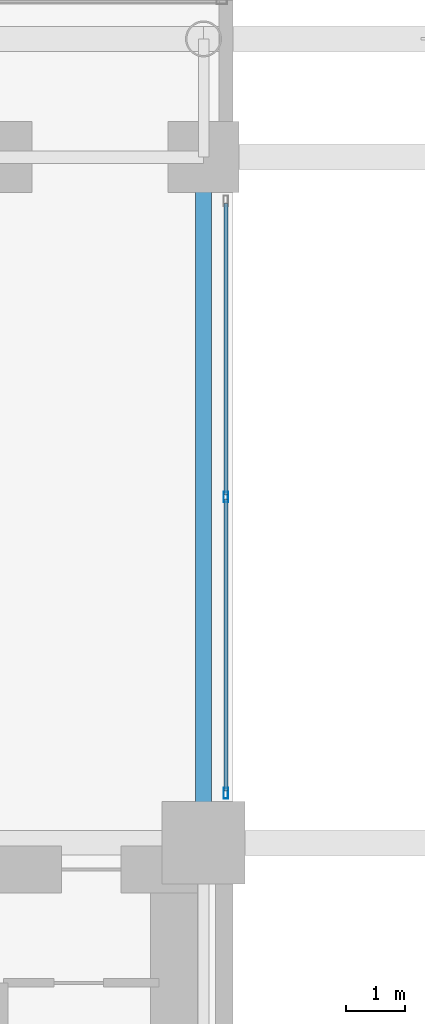
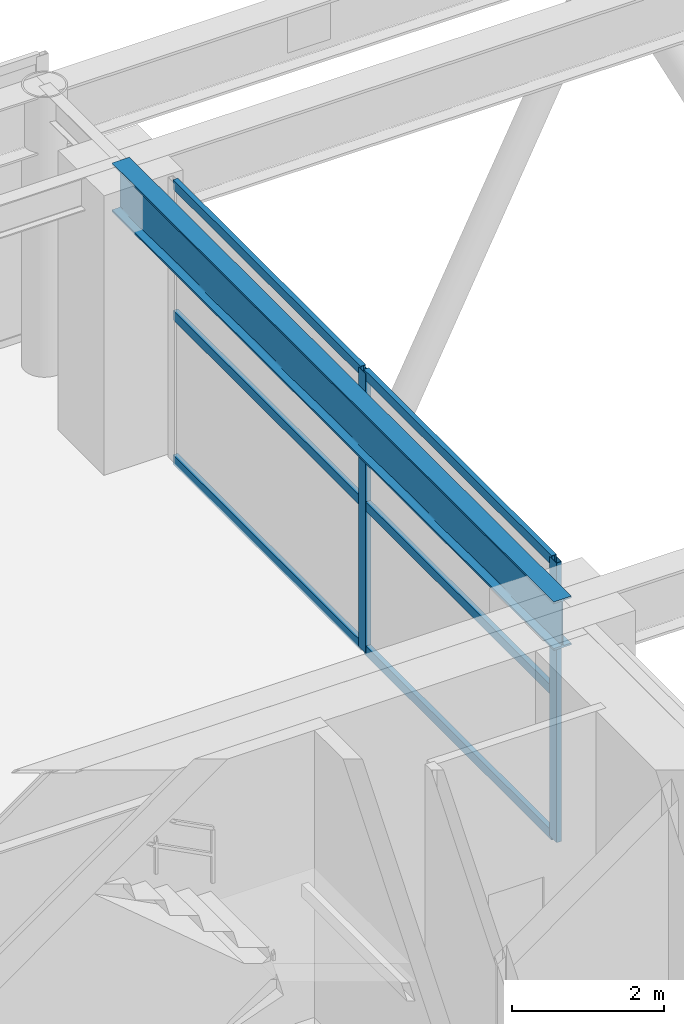
# One storey, part 14 of 30: 8 members, 1 beam, 1 element without a shape of its own.
"""IFC4 building model written with IfcOpenShell, lengths in metres."""

from ifc_helpers import new_model, si_unit, direction, frame, origin, origin_2d, place, context, subcontext, project, spatial, hollow_rectangle, i_section, extrude, source, transform, mapped, material, layer, layer_set, material_profile, profile_set, type_object, element, aggregate, save


model = new_model("IFC4")

# Units and contexts
model_context = context("Model", 3, precision=1e-05, world=origin(), true_north=direction((0.0, 1.0)))
body_context = subcontext(model_context, "Body", "Model", "MODEL_VIEW")
ifc_project = project(units=[si_unit("LENGTHUNIT", "METRE"), si_unit("AREAUNIT", "SQUARE_METRE"), si_unit("VOLUMEUNIT", "CUBIC_METRE"), si_unit("PLANEANGLEUNIT", "RADIAN"), si_unit("MASSUNIT", "GRAM", prefix="KILO")], contexts=[model_context])

# Site, building, storey
site_placement = place(None, origin())
site = spatial("IfcSite", under=ifc_project, at=site_placement, CompositionType="ELEMENT")
building_placement = place(site_placement, origin())
building = spatial("IfcBuilding", under=site, at=building_placement, Name="Ocotamira Hotel", CompositionType="ELEMENT")
storey_placement = place(building_placement, frame((0.0, 0.0, 19.199951171875)))
storey = spatial("IfcBuildingStorey", under=building, at=storey_placement, Name="L04", CompositionType="ELEMENT", Elevation=19.199951171875)

# Beam
ifc_material_1 = material(Name="Steel ASTM A992 Grade 50", Category="steel")
ifc_material_profile_1 = material_profile(ifc_material_1, i_section(OverallWidth=0.26611328125, OverallDepth=0.779052734375, WebThickness=0.0166015625, FlangeThickness=0.030029296875, FilletRadius=0.01806640625, at=origin_2d()), Name="W30X148")
ifc_profile_set_1 = profile_set([ifc_material_profile_1], Name="Steel ASTM A992 Grade 50")
beam_type = type_object("IfcBeamType", Name="BM-GIRD-W30X148", PredefinedType="BEAM", material=ifc_profile_set_1)
shared_shape_1 = source(origin(), body_context, "Body", "SweptSolid", [
    extrude(i_section(OverallWidth=0.26611328125, OverallDepth=0.779052734375, WebThickness=0.0166015625, FlangeThickness=0.030029296875, FilletRadius=0.01806640625, at=origin_2d()), origin(), (0.0, 0.0, 1.0), 11.60009765625),
])
beam_placement = place(storey_placement, frame((23.5, 37.449951171875, 4.090576171875), z_axis=(0.0, 1.0, 0.0), x_axis=(-1.0, 0.0, 0.0)))
element("IfcBeam", 1, at=beam_placement, inside=storey, type_object=beam_type, Name="L04 Beam X23.5 Y37.45-49.05", PredefinedType="BEAM", context=body_context, shape_type="MappedRepresentation", body=[
    mapped(shared_shape_1, transform((0.0, 0.0, 0.0), scale=1.0)),
])

# Curtain wall, members
ifc_material_2 = material(Name="Anodised pale-metal aluminium and solar glass", Category="aluminium")
ifc_layer = layer(ifc_material_2, 0.219970703125)
ifc_layer_set = layer_set([ifc_layer], Name="Anodised pale-metal aluminium and solar glass")
curtain_wall_type = type_object("IfcCurtainWallType", Name="CW-SYS1-POD", PredefinedType="NOTDEFINED", material=ifc_layer_set)
curtain_wall_placement = place(storey_placement, origin())
curtain_wall = element("IfcCurtainWall", 2, at=curtain_wall_placement, inside=storey, type_object=curtain_wall_type, Name="L04 Curtain Wall CW-1 CW-L04-AW-N", PredefinedType="NOTDEFINED")
ifc_material_3 = material(Name="Anodised pale-metal aluminium 6063-T6", Category="aluminium")
ifc_material_profile_2 = material_profile(ifc_material_3, hollow_rectangle(XDim=0.074951171875, YDim=0.14990234375, WallThickness=0.006103515625, at=origin_2d()), Name="HSS150X75X6")
ifc_profile_set_2 = profile_set([ifc_material_profile_2], Name="Anodised pale-metal aluminium 6063-T6")
member_type_1 = type_object("IfcMemberType", Name="CWT-150X75", PredefinedType="USERDEFINED", material=ifc_profile_set_2)
shared_shape_2 = source(origin(), body_context, "Body", "SweptSolid", [
    extrude(hollow_rectangle(XDim=0.074951171875, YDim=0.14990234375, WallThickness=0.006103515625, at=origin_2d()), origin(), (0.0, 0.0, 1.0), 4.929931640625),
])
member_1_placement = place(storey_placement, frame((23.8798828125, 38.330078125, 0.03759765625), z_axis=(0.0, 1.0, 0.0), x_axis=(-1.0, 0.0, 0.0)))
member_1 = element("IfcMember", 3, at=member_1_placement, type_object=member_type_1, Name="CW-1 transom 1.1", ObjectType="TRANSOM", PredefinedType="USERDEFINED", context=body_context, shape_type="MappedRepresentation", body=[
    mapped(shared_shape_2, transform((0.0, 0.0, 0.0), scale=1.0)),
])
member_2_placement = place(storey_placement, frame((23.8798828125, 38.330078125, 2.35009765625), z_axis=(0.0, 1.0, 0.0), x_axis=(-1.0, 0.0, 0.0)))
member_2 = element("IfcMember", 4, at=member_2_placement, type_object=member_type_1, Name="CW-1 transom 1.2", ObjectType="TRANSOM", PredefinedType="USERDEFINED", context=body_context, shape_type="MappedRepresentation", body=[
    mapped(shared_shape_2, transform((0.0, 0.0, 0.0), scale=1.0)),
])
member_3_placement = place(storey_placement, frame((23.8798828125, 38.330078125, 4.442626953125), z_axis=(0.0, 1.0, 0.0), x_axis=(-1.0, 0.0, 0.0)))
member_3 = element("IfcMember", 5, at=member_3_placement, type_object=member_type_1, Name="CW-1 transom 1.3", ObjectType="TRANSOM", PredefinedType="USERDEFINED", context=body_context, shape_type="MappedRepresentation", body=[
    mapped(shared_shape_2, transform((0.0, 0.0, 0.0), scale=1.0)),
])
member_4_placement = place(storey_placement, frame((23.8798828125, 43.340087890625, 0.03759765625), z_axis=(0.0, 1.0, 0.0), x_axis=(-1.0, 0.0, 0.0)))
member_4 = element("IfcMember", 6, at=member_4_placement, type_object=member_type_1, Name="CW-1 transom 2.1", ObjectType="TRANSOM", PredefinedType="USERDEFINED", context=body_context, shape_type="MappedRepresentation", body=[
    mapped(shared_shape_2, transform((0.0, 0.0, 0.0), scale=1.0)),
])
member_5_placement = place(storey_placement, frame((23.8798828125, 43.340087890625, 2.35009765625), z_axis=(0.0, 1.0, 0.0), x_axis=(-1.0, 0.0, 0.0)))
member_5 = element("IfcMember", 7, at=member_5_placement, type_object=member_type_1, Name="CW-1 transom 2.2", ObjectType="TRANSOM", PredefinedType="USERDEFINED", context=body_context, shape_type="MappedRepresentation", body=[
    mapped(shared_shape_2, transform((0.0, 0.0, 0.0), scale=1.0)),
])
member_6_placement = place(storey_placement, frame((23.8798828125, 43.340087890625, 4.442626953125), z_axis=(0.0, 1.0, 0.0), x_axis=(-1.0, 0.0, 0.0)))
member_6 = element("IfcMember", 8, at=member_6_placement, type_object=member_type_1, Name="CW-1 transom 2.3", ObjectType="TRANSOM", PredefinedType="USERDEFINED", context=body_context, shape_type="MappedRepresentation", body=[
    mapped(shared_shape_2, transform((0.0, 0.0, 0.0), scale=1.0)),
])
ifc_material_profile_3 = material_profile(ifc_material_3, hollow_rectangle(XDim=0.080078125, YDim=0.179931640625, WallThickness=0.006103515625, at=origin_2d()), Name="HSS180X80X6")
ifc_profile_set_3 = profile_set([ifc_material_profile_3], Name="Anodised pale-metal aluminium 6063-T6")
member_type_2 = type_object("IfcMemberType", Name="CWM-180X75", PredefinedType="MULLION", material=ifc_profile_set_3)
shared_shape_3 = source(origin(), body_context, "Body", "SweptSolid", [
    extrude(hollow_rectangle(XDim=0.080078125, YDim=0.179931640625, WallThickness=0.006103515625, at=origin_2d()), origin(), (0.0, 0.0, 1.0), 4.47998046875),
])
member_7_placement = place(storey_placement, frame((23.8798828125, 38.2900390625, 0.0), z_axis=(0.0, 0.0, 1.0), x_axis=(-1.0, 0.0, 0.0)))
member_7 = element("IfcMember", 9, at=member_7_placement, type_object=member_type_2, Name="CW-1 mullion 1", PredefinedType="MULLION", context=body_context, shape_type="MappedRepresentation", body=[
    mapped(shared_shape_3, transform((0.0, 0.0, 0.0), scale=1.0)),
])
member_8_placement = place(storey_placement, frame((23.8798828125, 43.300048828125, 0.0), z_axis=(0.0, 0.0, 1.0), x_axis=(-1.0, 0.0, 0.0)))
member_8 = element("IfcMember", 10, at=member_8_placement, type_object=member_type_2, Name="CW-1 mullion 2", PredefinedType="MULLION", context=body_context, shape_type="MappedRepresentation", body=[
    mapped(shared_shape_3, transform((0.0, 0.0, 0.0), scale=1.0)),
])
aggregate(curtain_wall, [member_7, member_8, member_1, member_2, member_3, member_4, member_5, member_6])

save(model, "model.ifc")
